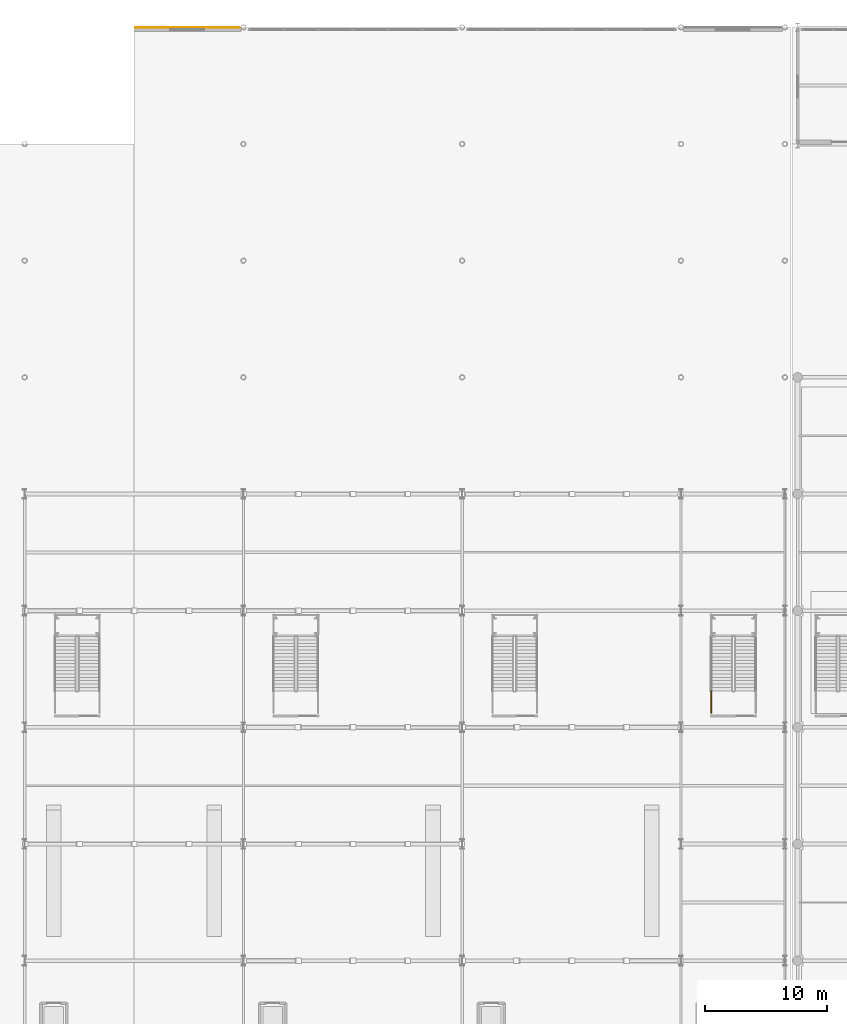
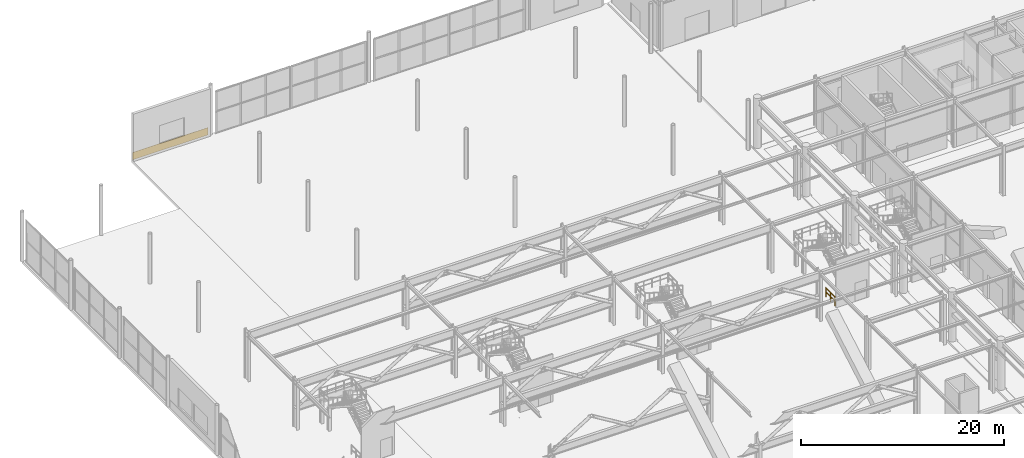
# One storey, part 90 of 113: 1 covering, 1 railing.
"""IFC4 building model written with IfcOpenShell, lengths in metres."""

import ifcopenshell
import ifcopenshell.guid

model = None  # the IFC model being written
_history = None  # IfcOwnerHistory: only IFC2X3 demands one
_inside = {}  # id of a spatial element -> (the spatial element, [elements in it])
_under = {}  # id of a project, library or spatial element -> (it, [spatial elements below it])
_declared = {}  # id of a project -> (the project, [libraries it declares])
_typed = {}  # id of a type object -> (the type object, [elements of that type])
_made_of = {}  # id of a material, layer set ... -> (it, [elements and type objects made of it])


def new_model(schema):
    """Start an empty IFC model of exactly this schema.

    Asked for "IFC4X3", IfcOpenShell would pick the latest addendum, in which some entities
    have other attributes; the version numbers below select the first issue.
    IFC2X3 requires an IfcOwnerHistory on every rooted entity: one is made here for all.
    """
    global model, _history
    if schema == "IFC4X3":
        model = ifcopenshell.file(schema_version=(4, 3, 0, 0))
    else:
        model = ifcopenshell.file(schema=schema)
    _inside.clear()
    _under.clear()
    _declared.clear()
    _typed.clear()
    _made_of.clear()
    _history = None
    if model.schema == "IFC2X3":
        org = make("IfcOrganization", Name="unknown")
        user = make(
            "IfcPersonAndOrganization",
            ThePerson=make("IfcPerson", FamilyName="unknown"),
            TheOrganization=org,
        )
        app = make(
            "IfcApplication",
            ApplicationDeveloper=org,
            Version="unknown",
            ApplicationFullName="unknown",
            ApplicationIdentifier="unknown",
        )
        _history = make(
            "IfcOwnerHistory",
            OwningUser=user,
            OwningApplication=app,
            ChangeAction="ADDED",
            CreationDate=0,
        )
    return model


def make(cls, **values):
    """One entity of the class cls with the attributes given. An attribute that is None is left unset."""
    return model.create_entity(
        cls, **{name: value for name, value in values.items() if value is not None}
    )


def rooted(cls, **values):
    """An entity with a GlobalId (a new one), such as an element, a storey or a relation."""
    return make(cls, GlobalId=ifcopenshell.guid.new(), OwnerHistory=_history, **values)


def si_unit(unit_type, name, prefix=None):
    """IfcSIUnit, for example si_unit("LENGTHUNIT", "METRE", prefix="MILLI")."""
    return make("IfcSIUnit", UnitType=unit_type, Prefix=prefix, Name=name)


def assignment(units):
    """IfcUnitAssignment: the units of a project."""
    return None if units is None else make("IfcUnitAssignment", Units=units)


def point(xyz):
    """IfcCartesianPoint."""
    return None if xyz is None else make("IfcCartesianPoint", Coordinates=xyz)


def direction(xyz):
    """IfcDirection."""
    return None if xyz is None else make("IfcDirection", DirectionRatios=xyz)


def frame(location, z_axis=None, x_axis=None):
    """IfcAxis2Placement3D, a coordinate frame: its origin and axes. An axis left out is left unset."""
    return make(
        "IfcAxis2Placement3D",
        Location=point(location),
        Axis=direction(z_axis),
        RefDirection=direction(x_axis),
    )


def frame_2d(location, x_axis=None):
    """IfcAxis2Placement2D, a coordinate frame in the plane: its origin and x axis."""
    return make(
        "IfcAxis2Placement2D", Location=point(location), RefDirection=direction(x_axis)
    )


def origin():
    """The frame at (0, 0, 0) with its axes left unset."""
    return frame((0.0, 0.0, 0.0))


def origin_2d():
    """The frame at (0, 0) in the plane with its x axis left unset."""
    return frame_2d((0.0, 0.0))


def place(relative_to, where):
    """IfcLocalPlacement: puts the frame where relative to a parent placement (None: the world)."""
    return make(
        "IfcLocalPlacement", PlacementRelTo=relative_to, RelativePlacement=where
    )


def context(
    kind, dimensions, precision=None, world=None, true_north=None, identifier=None
):
    """IfcGeometricRepresentationContext, for example the 3D "Model" context."""
    return make(
        "IfcGeometricRepresentationContext",
        ContextIdentifier=identifier,
        ContextType=kind,
        CoordinateSpaceDimension=dimensions,
        Precision=precision,
        WorldCoordinateSystem=world,
        TrueNorth=true_north,
    )


def subcontext(parent, identifier, kind, view, scale=None):
    """IfcGeometricRepresentationSubContext, for example "Body" below "Model"."""
    return make(
        "IfcGeometricRepresentationSubContext",
        ContextIdentifier=identifier,
        ContextType=kind,
        ParentContext=parent,
        TargetScale=scale,
        TargetView=view,
    )


def project(units=None, contexts=None):
    """IfcProject with its units and contexts."""
    return rooted(
        "IfcProject",
        Name="project",
        RepresentationContexts=contexts,
        UnitsInContext=assignment(units),
    )


def spatial(cls, under=None, at=None, **own):
    """A site, building, storey or space (cls), placed at a placement, below another one or the project."""
    s = rooted(cls, ObjectPlacement=at, **own)
    if under is not None:
        _under.setdefault(under.id(), (under, []))[1].append(s)
    return s


def profile(cls, at=None, kind="AREA", **sizes):
    """A parametric profile (cls). Its sizes go by their IFC names, for example OverallWidth=200.0."""
    return make(cls, ProfileType=kind, Position=at, **sizes)


def rectangle(**sizes):
    """IfcRectangleProfileDef."""
    return profile("IfcRectangleProfileDef", **sizes)


def extrude(swept, where, along, depth):
    """IfcExtrudedAreaSolid: the profile swept, set in the frame where, extruded along a direction by depth."""
    return make(
        "IfcExtrudedAreaSolid",
        SweptArea=swept,
        Position=where,
        ExtrudedDirection=direction(along),
        Depth=depth,
    )


def shape(context_of_items, identifier, shape_type, items):
    """IfcShapeRepresentation: the items that make up one representation, for example the "Body"."""
    return make(
        "IfcShapeRepresentation",
        ContextOfItems=context_of_items,
        RepresentationIdentifier=identifier,
        RepresentationType=shape_type,
        Items=items,
    )


def material(Name=None, Category=None):
    """IfcMaterial."""
    return make("IfcMaterial", Name=Name, Category=Category)


def layer(
    of_material, thickness, ventilated=None, Name=None, Category=None, Priority=None
):
    """IfcMaterialLayer: one layer of a wall or slab, of a material (None: an air gap)."""
    return make(
        "IfcMaterialLayer",
        Material=of_material,
        LayerThickness=thickness,
        IsVentilated=ventilated,
        Name=Name,
        Category=Category,
        Priority=Priority,
    )


def layer_set(layers, Name=None):
    """IfcMaterialLayerSet."""
    return make("IfcMaterialLayerSet", MaterialLayers=layers, LayerSetName=Name)


def made_of(thing, what):
    """Note that an element or type object is made of a material, layer set ...; save() writes the relation."""
    if what is not None:
        _made_of.setdefault(what.id(), (what, []))[1].append(thing)
    return thing


def type_object(cls, material=None, **own):
    """A type object (cls), such as IfcWallType, which elements share."""
    return made_of(rooted(cls, **own), material)


def element(
    cls,
    number,
    at=None,
    inside=None,
    cuts=None,
    type_object=None,
    material=None,
    context=None,
    identifier="Body",
    shape_type=None,
    held_by="IfcProductDefinitionShape",
    body=None,
    shapes=None,
    **own,
):
    """One element of the class cls, such as IfcWall. Its Tag is "e" and its number.

    at: its placement. inside: the storey or other place that contains it. cuts: it is an
    opening in that element (IfcRelVoidsElement). A single representation is given by context,
    identifier, shape_type and body (its items); several are given by shapes. held_by: the class
    of the entity that holds the representations. save() writes the other relations.
    """
    e = rooted(cls, Tag="e%d" % number, ObjectPlacement=at, **own)
    if body is not None:
        shapes = [shape(context, identifier, shape_type, body)]
    if shapes is not None:
        e.Representation = make(held_by, Representations=shapes)
    if inside is not None:
        _inside.setdefault(inside.id(), (inside, []))[1].append(e)
    if cuts is not None:
        rooted(
            "IfcRelVoidsElement", RelatingBuildingElement=cuts, RelatedOpeningElement=e
        )
    if type_object is not None:
        _typed.setdefault(type_object.id(), (type_object, []))[1].append(e)
    return made_of(e, material)


def aggregate(whole, parts):
    """IfcRelAggregates: a whole, such as a stair, and the parts it consists of."""
    return rooted("IfcRelAggregates", RelatingObject=whole, RelatedObjects=parts)


def save(model, path):
    """Write the relations noted so far, then the file.

    IfcRelAggregates (storeys below a building ...), IfcRelContainedInSpatialStructure (elements
    in a storey), IfcRelDefinesByType, IfcRelAssociatesMaterial and IfcRelDeclares: one each for
    every whole, place, type object, material and project.
    """
    for whole, parts in _under.values():
        aggregate(whole, parts)
    for where, things in _inside.values():
        rooted(
            "IfcRelContainedInSpatialStructure",
            RelatedElements=things,
            RelatingStructure=where,
        )
    for kind, things in _typed.values():
        rooted("IfcRelDefinesByType", RelatedObjects=things, RelatingType=kind)
    for what, things in _made_of.values():
        rooted("IfcRelAssociatesMaterial", RelatedObjects=things, RelatingMaterial=what)
    for by, libraries in _declared.values():
        rooted("IfcRelDeclares", RelatingContext=by, RelatedDefinitions=libraries)
    model.write(path)


model = new_model("IFC4")

# Units and contexts
model_context = context("Model", 3, precision=1e-05, world=origin(), true_north=direction((0.0, 1.0)))
body_context = subcontext(model_context, "Body", "Model", "MODEL_VIEW")
ifc_project = project(units=[si_unit("LENGTHUNIT", "METRE"), si_unit("AREAUNIT", "SQUARE_METRE"), si_unit("VOLUMEUNIT", "CUBIC_METRE"), si_unit("PLANEANGLEUNIT", "RADIAN"), si_unit("MASSUNIT", "GRAM", prefix="KILO")], contexts=[model_context])

# Site, building, storey
site_placement = place(None, origin())
site = spatial("IfcSite", under=ifc_project, at=site_placement, CompositionType="ELEMENT")
building_placement = place(site_placement, origin())
building = spatial("IfcBuilding", under=site, at=building_placement, Name="Myrtia Square Station", CompositionType="ELEMENT")
storey_placement = place(building_placement, origin())
storey = spatial("IfcBuildingStorey", under=building, at=storey_placement, Name="L00", CompositionType="ELEMENT", Elevation=0.0)

# Covering
ifc_material_1 = material(Name="Polychrome glazed ceramic tile", Category="masonry")
ifc_layer = layer(ifc_material_1, 0.034912109375, Name="Polychrome glazed ceramic tile")
ifc_layer_set = layer_set([ifc_layer], Name="Polychrome glazed ceramic tile")
covering_type = type_object("IfcCoveringType", Name="COV-CLAD-FAIENCE", PredefinedType="CLADDING", material=ifc_layer_set)
covering_placement = place(storey_placement, frame((22.39599609375, 124.777587890625, 0.0), z_axis=(0.0, 0.0, 1.0), x_axis=(1.0, 0.0, 0.0)))
element("IfcCovering", 1, at=covering_placement, inside=storey, type_object=covering_type, Name="Spanish Colonial Revival dado cladding 008", PredefinedType="CLADDING", context=body_context, shape_type="SweptSolid", body=[
    extrude(rectangle(XDim=8.592041015625, YDim=0.034912109375, at=origin_2d()), origin(), (0.0, 0.0, 1.0), 0.8798828125),
])

# Railing
ifc_material_2 = material(Name="Wrought iron", Category="steel")
railing_type = type_object("IfcRailingType", Name="RL-INT-GUARD-1100", PredefinedType="BALUSTRADE", material=ifc_material_2)
railing_placement = place(storey_placement, frame((65.489990234375, 68.39990234375, 0.0)))
element("IfcRailing", 2, at=railing_placement, inside=storey, type_object=railing_type, Name="L00 ST68 stair guard 9", PredefinedType="BALUSTRADE", context=body_context, shape_type="SweptSolid", body=[
    extrude(rectangle(XDim=0.048095703125, YDim=0.048095703125, at=origin_2d()), frame((0.0, 0.03466796875, 1.09619140625), z_axis=(0.0, 1.0, 0.0), x_axis=(-1.0, 0.0, 0.0)), (0.0, 0.0, 1.0), 0.830810546875),
    extrude(rectangle(XDim=0.048095703125, YDim=0.048095703125, at=origin_2d()), frame((0.0, 0.03466796875, 0.58251953125), z_axis=(0.0, 1.0, 0.0), x_axis=(-1.0, 0.0, 0.0)), (0.0, 0.0, 1.0), 0.830810546875),
    extrude(rectangle(XDim=0.048095703125, YDim=0.048095703125, at=origin_2d()), frame((0.0, 0.9345703125, 1.09619140625), z_axis=(0.0, 1.0, 0.0), x_axis=(-1.0, 0.0, 0.0)), (0.0, 0.0, 1.0), 0.830810546875),
    extrude(rectangle(XDim=0.048095703125, YDim=0.048095703125, at=origin_2d()), frame((0.0, 0.9345703125, 0.58251953125), z_axis=(0.0, 1.0, 0.0), x_axis=(-1.0, 0.0, 0.0)), (0.0, 0.0, 1.0), 0.830810546875),
    extrude(rectangle(XDim=0.0439453125, YDim=0.0439453125, at=origin_2d()), origin(), (0.0, 0.0, 1.0), 1.1201171875),
    extrude(rectangle(XDim=0.0439453125, YDim=0.0439453125, at=origin_2d()), frame((0.0, 0.89990234375, 0.0)), (0.0, 0.0, 1.0), 1.1201171875),
    extrude(rectangle(XDim=0.0439453125, YDim=0.0439453125, at=origin_2d()), frame((0.0, 1.800048828125, 0.0)), (0.0, 0.0, 1.0), 1.1201171875),
])

save(model, "model.ifc")
